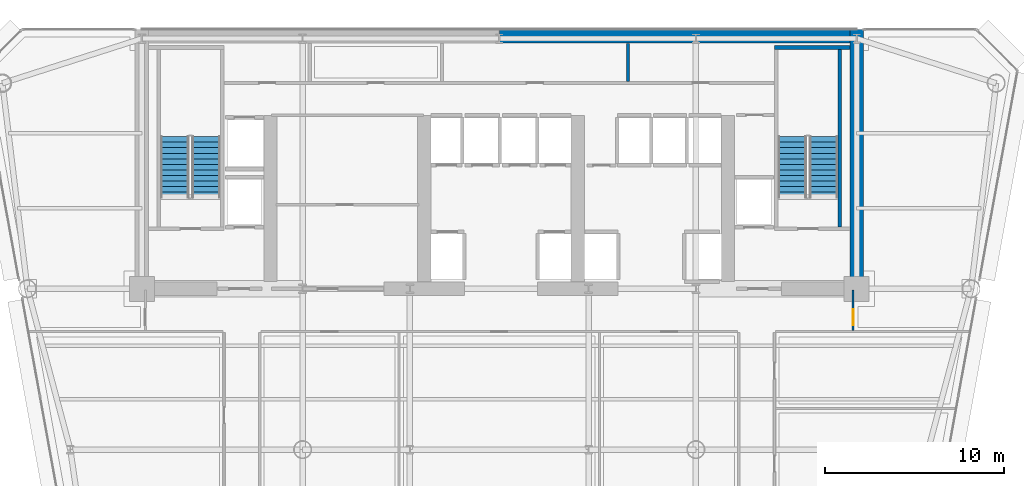
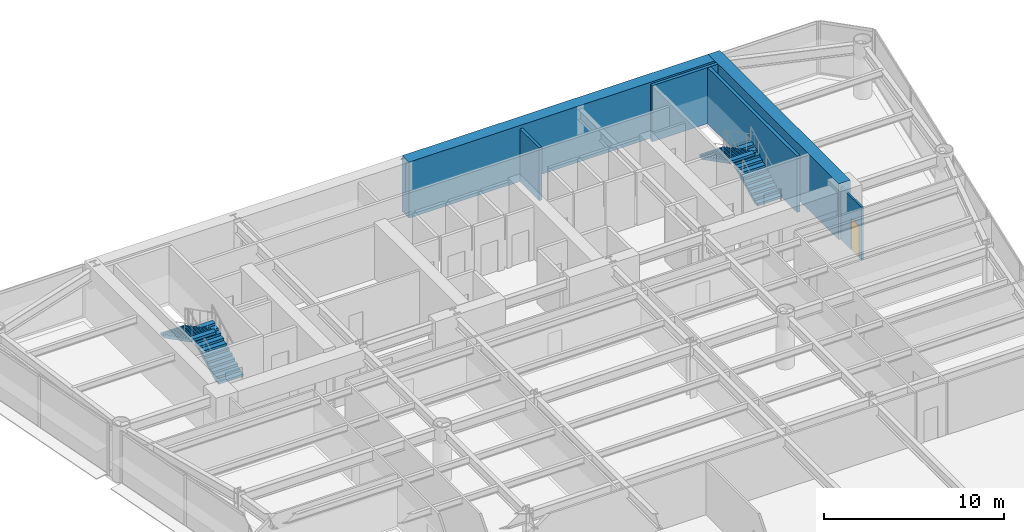
# One storey, part 10 of 14: 6 walls, 4 stair flights, 1 door, 1 opening, 2 elements without a shape of their own.
"""IFC4 building model written with IfcOpenShell, lengths in metres."""

from ifc_helpers import new_model, si_unit, direction, frame, frame_2d, origin, place, context, subcontext, project, spatial, polyline, rectangle, outline, extrude, source, transform, mapped, material, layer, layer_set, type_object, element, fill, aggregate, save


model = new_model("IFC4")

# Units and contexts
model_context = context("Model", 3, precision=1e-05, world=origin(), true_north=direction((0.0, 1.0)))
body_context = subcontext(model_context, "Body", "Model", "MODEL_VIEW")
ifc_project = project(units=[si_unit("LENGTHUNIT", "METRE"), si_unit("AREAUNIT", "SQUARE_METRE"), si_unit("VOLUMEUNIT", "CUBIC_METRE"), si_unit("PLANEANGLEUNIT", "RADIAN"), si_unit("MASSUNIT", "GRAM", prefix="KILO")], contexts=[model_context])

# Site, building, storey
site_placement = place(None, origin())
site = spatial("IfcSite", under=ifc_project, at=site_placement, CompositionType="ELEMENT")
building_placement = place(site_placement, origin())
building = spatial("IfcBuilding", under=site, at=building_placement, Name="Vaeldorn Concourse Tower", CompositionType="ELEMENT")
storey_placement = place(building_placement, frame((0.0, 0.0, 130.0)))
storey = spatial("IfcBuildingStorey", under=building, at=storey_placement, Name="L33", CompositionType="ELEMENT", Elevation=130.0)

# Walls
ifc_material_1 = material(Name="Concrete C60/75", Category="concrete")
ifc_layer_1 = layer(ifc_material_1, 0.75)
ifc_layer_set_1 = layer_set([ifc_layer_1], Name="Concrete C60/75")
wall_type_1 = type_object("IfcWallType", Name="WL-CORE-750", PredefinedType="SHEAR", material=ifc_layer_set_1)
wall_1_placement = place(storey_placement, frame((34.001953125, 50.625, 0.0), z_axis=(0.0, 0.0, 1.0), x_axis=(1.0, 0.0, 0.0)))
element("IfcWall", 1, at=wall_1_placement, inside=storey, type_object=wall_type_1, Name="Rear Core Shear Wall L33 N2", PredefinedType="SHEAR", context=body_context, shape_type="SweptSolid", body=[
    extrude(rectangle(XDim=19.619140625, YDim=0.75, at=frame_2d((9.8095703125, 0.0))), origin(), (0.0, 0.0, 1.0), 3.800048828125),
])
wall_2_placement = place(storey_placement, frame((54.0, 36.5, 0.0), z_axis=(0.0, 0.0, 1.0), x_axis=(0.0, 1.0, 0.0)))
element("IfcWall", 2, at=wall_2_placement, inside=storey, type_object=wall_type_1, Name="Rear Core Shear Wall L33 E1", PredefinedType="SHEAR", context=body_context, shape_type="SweptSolid", body=[
    extrude(rectangle(XDim=14.5, YDim=0.75, at=frame_2d((7.25, 0.0))), origin(), (0.0, 0.0, 1.0), 3.800048828125),
])

# Wall, opening, door
ifc_material_2 = material(Name="Gypsum Board Partition", Category="gypsum")
ifc_layer_2 = layer(ifc_material_2, 0.1201171875)
ifc_layer_set_2 = layer_set([ifc_layer_2], Name="Gypsum Board Partition")
wall_type_2 = type_object("IfcWallType", Name="WL-PART-120", PredefinedType="PARTITIONING", material=ifc_layer_set_2)
wall_3_placement = place(storey_placement, frame((53.800048828125, 34.159912109375, 0.0), z_axis=(0.0, 0.0, 1.0), x_axis=(0.0, 1.0, 0.0)))
wall_3 = element("IfcWall", 3, at=wall_3_placement, inside=storey, type_object=wall_type_2, Name="Interior Wall PW-L33-CEET", PredefinedType="PARTITIONING", context=body_context, shape_type="SweptSolid", body=[
    extrude(rectangle(XDim=2.280029296875, YDim=0.1201171875, at=frame_2d((1.14013671875, 0.0))), origin(), (0.0, 0.0, 1.0), 3.580078125),
])
opening_placement = place(wall_3_placement, frame((0.300048828125, 0.0, 0.0)))
opening = element("IfcOpeningElement", 4, at=opening_placement, cuts=wall_3, Name="Opening D-03", PredefinedType="OPENING", context=body_context, shape_type="SweptSolid", body=[
    extrude(rectangle(XDim=0.89990234375, YDim=2.14990234375, at=frame_2d((0.449951171875, 1.074951171875))), frame((0.0, 0.070068359375, 0.0), z_axis=(0.0, -1.0, 0.0), x_axis=(1.0, 0.0, 0.0)), (0.0, 0.0, 1.0), 0.14013671875),
])
ifc_material_3 = material(Name="Acoustic Bronze-Framed Glass Door", Category="glass")
door_type = type_object("IfcDoorType", Name="DR-INT-900", OperationType="NOTDEFINED", PredefinedType="DOOR", material=ifc_material_3)
shared_shape = source(origin(), body_context, "Body", "SweptSolid", [
    extrude(rectangle(XDim=0.89990234375, YDim=2.14990234375, at=frame_2d((0.449951171875, 1.074951171875))), frame((0.0, 0.02490234375, 0.0), z_axis=(0.0, -1.0, 0.0), x_axis=(1.0, 0.0, 0.0)), (0.0, 0.0, 1.0), 0.050048828125),
])
door_placement = place(opening_placement, origin())
door = element("IfcDoor", 5, at=door_placement, inside=storey, type_object=door_type, Name="Interior Door DR-L33-NE1", OperationType="SINGLE_SWING_RIGHT", OverallHeight=2.14990234375, OverallWidth=0.89990234375, PredefinedType="DOOR", context=body_context, shape_type="MappedRepresentation", body=[
    mapped(shared_shape, transform((0.0, 0.0, 0.0), scale=1.0)),
])
fill(opening, door)

# Walls
ifc_layer_3 = layer(ifc_material_2, 0.179931640625)
ifc_layer_set_3 = layer_set([ifc_layer_3], Name="Gypsum Board Partition")
wall_type_3 = type_object("IfcWallType", Name="WL-PLUMB-180", PredefinedType="PLUMBINGWALL", material=ifc_layer_set_3)
wall_4_placement = place(storey_placement, frame((41.199951171875, 48.10009765625, 0.0), z_axis=(0.0, 0.0, 1.0), x_axis=(0.0, 1.0, 0.0)))
element("IfcWall", 6, at=wall_4_placement, inside=storey, type_object=wall_type_3, Name="Interior Wall CW-L33-NDIV3", PredefinedType="PLUMBINGWALL", context=body_context, shape_type="SweptSolid", body=[
    extrude(rectangle(XDim=2.1298828125, YDim=0.179931640625, at=frame_2d((1.06494140625, 0.0))), origin(), (0.0, 0.0, 1.0), 3.580078125),
])
ifc_material_4 = material(Name="Concrete C50/60", Category="concrete")
ifc_layer_4 = layer(ifc_material_4, 0.199951171875)
ifc_layer_set_4 = layer_set([ifc_layer_4], Name="Concrete C50/60")
wall_type_4 = type_object("IfcWallType", Name="WL-SHAFT-200", PredefinedType="SOLIDWALL", material=ifc_layer_set_4)
wall_5_placement = place(storey_placement, frame((49.39990234375, 50.0, 0.0), z_axis=(0.0, 0.0, 1.0), x_axis=(1.0, 0.0, 0.0)))
element("IfcWall", 7, at=wall_5_placement, inside=storey, type_object=wall_type_4, Name="Stair Shaft Wall CW-L33-ST-2-N", PredefinedType="SOLIDWALL", context=body_context, shape_type="SweptSolid", body=[
    extrude(rectangle(XDim=4.22509765625, YDim=0.199951171875, at=frame_2d((2.112548828125, 0.0))), origin(), (0.0, 0.0, 1.0), 3.800048828125),
])
wall_6_placement = place(storey_placement, frame((53.050048828125, 39.9599609375, 0.0), z_axis=(0.0, 0.0, 1.0), x_axis=(0.0, 1.0, 0.0)))
element("IfcWall", 8, at=wall_6_placement, inside=storey, type_object=wall_type_4, Name="Stair Shaft Wall CW-L33-ST-2-E", PredefinedType="SOLIDWALL", context=body_context, shape_type="SweptSolid", body=[
    extrude(rectangle(XDim=9.929931640625, YDim=0.199951171875, at=frame_2d((4.96484375, 0.0))), origin(), (0.0, 0.0, 1.0), 3.800048828125),
])

# Stair, stair flights
ifc_material_5 = material(Name="Precast concrete C40/50", Category="concrete")
stair_type = type_object("IfcStairType", Name="STR-DOG-24x158", PredefinedType="HALF_TURN_STAIR", material=ifc_material_5)
stair_1_placement = place(storey_placement, origin())
stair_1 = element("IfcStair", 9, at=stair_1_placement, inside=storey, type_object=stair_type, Name="L33 West Core Exit Stair ST-1", PredefinedType="HALF_TURN_STAIR")
stair_flight_type = type_object("IfcStairFlightType", Name="STF-STR-12x158", PredefinedType="STRAIGHT", material=ifc_material_5)
stair_flight_1_placement = place(storey_placement, frame((17.60009765625, 41.60009765625, 0.0), z_axis=(0.0, 0.0, 1.0), x_axis=(0.0, 1.0, 0.0)))
stair_flight_1 = element("IfcStairFlight", 10, at=stair_flight_1_placement, type_object=stair_flight_type, Name="ST-1 flight 1", NumberOfRisers=12, NumberOfTreads=11, PredefinedType="STRAIGHT", RiserHeight=0.158333333, TreadLength=0.31, context=body_context, shape_type="SweptSolid", body=[
    extrude(outline(polyline([(0.0, 0.0), (0.0, 0.158447265625), (0.31005859375, 0.158447265625), (0.31005859375, 0.316650390625), (0.6201171875, 0.316650390625), (0.6201171875, 0.47509765625), (0.929931640625, 0.47509765625), (0.929931640625, 0.63330078125), (1.239990234375, 0.63330078125), (1.239990234375, 0.791748046875), (1.550048828125, 0.791748046875), (1.550048828125, 0.949951171875), (1.860107421875, 0.949951171875), (1.860107421875, 1.1083984375), (2.169921875, 1.1083984375), (2.169921875, 1.2666015625), (2.47998046875, 1.2666015625), (2.47998046875, 1.425048828125), (2.7900390625, 1.425048828125), (2.7900390625, 1.583251953125), (3.10009765625, 1.583251953125), (3.10009765625, 1.74169921875), (3.409912109375, 1.74169921875), (3.409912109375, 1.89990234375), (3.409912109375, 1.5732421875), (0.32958984375, 0.0), (0.0, 0.0)])), frame((0.0, 0.800048828125, 0.0), z_axis=(0.0, -1.0, 0.0), x_axis=(1.0, 0.0, 0.0)), (0.0, 0.0, 1.0), 1.60009765625),
])
stair_flight_2_placement = place(storey_placement, frame((15.85009765625, 45.010009765625, 1.89990234375), z_axis=(0.0, 0.0, 1.0), x_axis=(0.0, -1.0, 0.0)))
stair_flight_2 = element("IfcStairFlight", 11, at=stair_flight_2_placement, type_object=stair_flight_type, Name="ST-1 flight 2", NumberOfRisers=12, NumberOfTreads=11, PredefinedType="STRAIGHT", RiserHeight=0.158333333, TreadLength=0.31, context=body_context, shape_type="SweptSolid", body=[
    extrude(outline(polyline([(0.0, 0.0), (0.0, 0.158447265625), (0.31005859375, 0.158447265625), (0.31005859375, 0.316650390625), (0.6201171875, 0.316650390625), (0.6201171875, 0.47509765625), (0.929931640625, 0.47509765625), (0.929931640625, 0.63330078125), (1.239990234375, 0.63330078125), (1.239990234375, 0.791748046875), (1.550048828125, 0.791748046875), (1.550048828125, 0.949951171875), (1.860107421875, 0.949951171875), (1.860107421875, 1.1083984375), (2.169921875, 1.1083984375), (2.169921875, 1.2666015625), (2.47998046875, 1.2666015625), (2.47998046875, 1.425048828125), (2.7900390625, 1.425048828125), (2.7900390625, 1.583251953125), (3.10009765625, 1.583251953125), (3.10009765625, 1.74169921875), (3.409912109375, 1.74169921875), (3.409912109375, 1.89990234375), (3.409912109375, 1.5732421875), (0.32958984375, 0.0), (0.0, 0.0)])), frame((0.0, 0.800048828125, 0.0), z_axis=(0.0, -1.0, 0.0), x_axis=(1.0, 0.0, 0.0)), (0.0, 0.0, 1.0), 1.60009765625),
])
aggregate(stair_1, [stair_flight_1, stair_flight_2])

stair_2_placement = place(storey_placement, origin())
stair_2 = element("IfcStair", 12, at=stair_2_placement, inside=storey, type_object=stair_type, Name="L33 East Core Exit Stair ST-2", PredefinedType="HALF_TURN_STAIR")
stair_flight_3_placement = place(storey_placement, frame((52.14990234375, 41.60009765625, 0.0), z_axis=(0.0, 0.0, 1.0), x_axis=(0.0, 1.0, 0.0)))
stair_flight_3 = element("IfcStairFlight", 13, at=stair_flight_3_placement, type_object=stair_flight_type, Name="ST-2 flight 1", NumberOfRisers=12, NumberOfTreads=11, PredefinedType="STRAIGHT", RiserHeight=0.158333333, TreadLength=0.31, context=body_context, shape_type="SweptSolid", body=[
    extrude(outline(polyline([(0.0, 0.0), (0.0, 0.158447265625), (0.31005859375, 0.158447265625), (0.31005859375, 0.316650390625), (0.6201171875, 0.316650390625), (0.6201171875, 0.47509765625), (0.929931640625, 0.47509765625), (0.929931640625, 0.63330078125), (1.239990234375, 0.63330078125), (1.239990234375, 0.791748046875), (1.550048828125, 0.791748046875), (1.550048828125, 0.949951171875), (1.860107421875, 0.949951171875), (1.860107421875, 1.1083984375), (2.169921875, 1.1083984375), (2.169921875, 1.2666015625), (2.47998046875, 1.2666015625), (2.47998046875, 1.425048828125), (2.7900390625, 1.425048828125), (2.7900390625, 1.583251953125), (3.10009765625, 1.583251953125), (3.10009765625, 1.74169921875), (3.409912109375, 1.74169921875), (3.409912109375, 1.89990234375), (3.409912109375, 1.5732421875), (0.32958984375, 0.0), (0.0, 0.0)])), frame((0.0, 0.800048828125, 0.0), z_axis=(0.0, -1.0, 0.0), x_axis=(1.0, 0.0, 0.0)), (0.0, 0.0, 1.0), 1.60009765625),
])
stair_flight_4_placement = place(storey_placement, frame((50.39990234375, 45.010009765625, 1.89990234375), z_axis=(0.0, 0.0, 1.0), x_axis=(0.0, -1.0, 0.0)))
stair_flight_4 = element("IfcStairFlight", 14, at=stair_flight_4_placement, type_object=stair_flight_type, Name="ST-2 flight 2", NumberOfRisers=12, NumberOfTreads=11, PredefinedType="STRAIGHT", RiserHeight=0.158333333, TreadLength=0.31, context=body_context, shape_type="SweptSolid", body=[
    extrude(outline(polyline([(0.0, 0.0), (0.0, 0.158447265625), (0.31005859375, 0.158447265625), (0.31005859375, 0.316650390625), (0.6201171875, 0.316650390625), (0.6201171875, 0.47509765625), (0.929931640625, 0.47509765625), (0.929931640625, 0.63330078125), (1.239990234375, 0.63330078125), (1.239990234375, 0.791748046875), (1.550048828125, 0.791748046875), (1.550048828125, 0.949951171875), (1.860107421875, 0.949951171875), (1.860107421875, 1.1083984375), (2.169921875, 1.1083984375), (2.169921875, 1.2666015625), (2.47998046875, 1.2666015625), (2.47998046875, 1.425048828125), (2.7900390625, 1.425048828125), (2.7900390625, 1.583251953125), (3.10009765625, 1.583251953125), (3.10009765625, 1.74169921875), (3.409912109375, 1.74169921875), (3.409912109375, 1.89990234375), (3.409912109375, 1.5732421875), (0.32958984375, 0.0), (0.0, 0.0)])), frame((0.0, 0.800048828125, 0.0), z_axis=(0.0, -1.0, 0.0), x_axis=(1.0, 0.0, 0.0)), (0.0, 0.0, 1.0), 1.60009765625),
])
aggregate(stair_2, [stair_flight_3, stair_flight_4])

save(model, "model.ifc")
